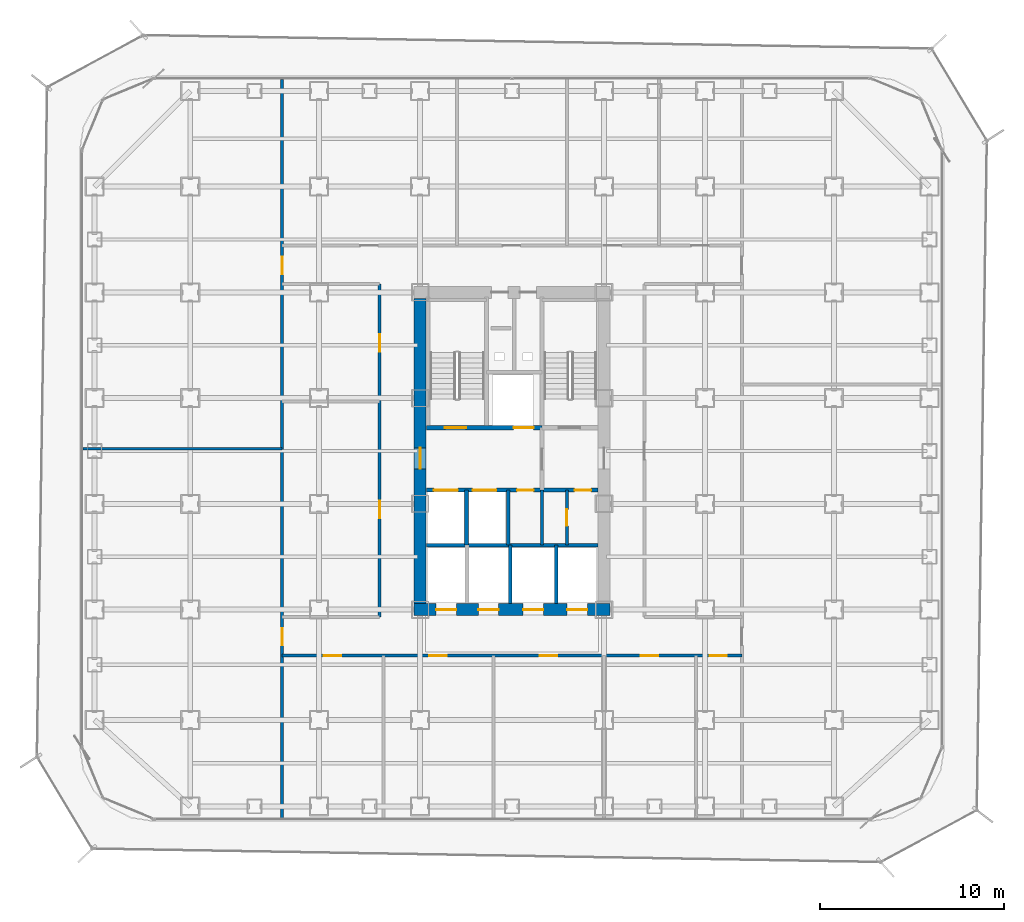
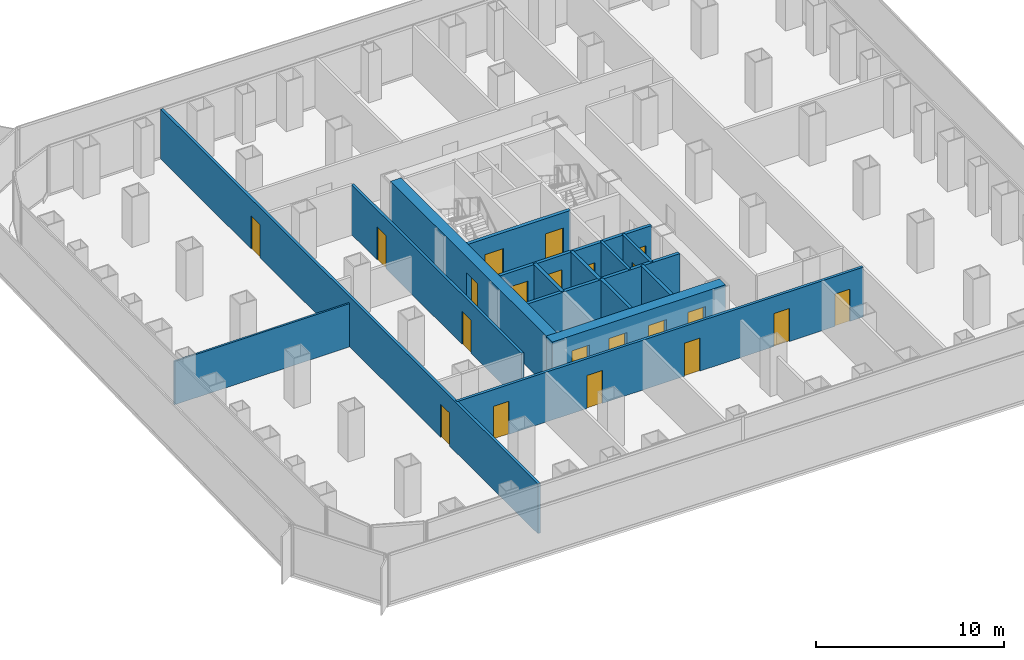
# One storey, part 17 of 22: 21 doors, 15 walls, 21 openings.
"""IFC4 building model written with IfcOpenShell, lengths in metres."""

from ifc_helpers import new_model, si_unit, direction, frame, frame_2d, origin, place, context, subcontext, project, spatial, rectangle, extrude, material, layer, layer_set, type_object, element, fill, save


model = new_model("IFC4")

# Units and contexts
model_context = context("Model", 3, precision=1e-05, world=origin(), true_north=direction((0.0, 1.0)))
body_context = subcontext(model_context, "Body", "Model", "MODEL_VIEW")
ifc_project = project(units=[si_unit("LENGTHUNIT", "METRE"), si_unit("AREAUNIT", "SQUARE_METRE"), si_unit("VOLUMEUNIT", "CUBIC_METRE"), si_unit("PLANEANGLEUNIT", "RADIAN"), si_unit("MASSUNIT", "GRAM", prefix="KILO")], contexts=[model_context])

# Site, building, storey
site_placement = place(None, origin())
site = spatial("IfcSite", under=ifc_project, at=site_placement, CompositionType="ELEMENT")
building_placement = place(site_placement, origin())
building = spatial("IfcBuilding", under=site, at=building_placement, Name="Kolveth Station Tower", CompositionType="ELEMENT")
storey_placement = place(building_placement, frame((0.0, 0.0, 72.89990234375)))
storey = spatial("IfcBuildingStorey", under=building, at=storey_placement, Name="L19", CompositionType="ELEMENT", Elevation=72.89990234375)

# Wall, openings, doors
ifc_material_1 = material(Name="Concrete C60/75", Category="concrete")
ifc_layer_1 = layer(ifc_material_1, 0.64990234375)
ifc_layer_set_1 = layer_set([ifc_layer_1], Name="Concrete C60/75")
wall_type_1 = type_object("IfcWallType", Name="Wall_CW-650", PredefinedType="SHEAR", material=ifc_layer_set_1)
wall_1_placement = place(storey_placement, frame((18.175048828125, 11.5, 0.0), z_axis=(0.0, 0.0, 1.0), x_axis=(1.0, 0.0, 0.0)))
wall_1 = element("IfcWall", 1, at=wall_1_placement, inside=storey, type_object=wall_type_1, Name="L19 Core RC Shear Wall S", PredefinedType="SHEAR", context=body_context, shape_type="SweptSolid", body=[
    extrude(rectangle(XDim=10.64990234375, YDim=0.64990234375, at=frame_2d((5.324951171875, 0.0))), origin(), (0.0, 0.0, 1.0), 3.239990234375),
])
opening_1_placement = place(wall_1_placement, frame((1.195068359375, 0.0, 0.0)))
opening_1 = element("IfcOpeningElement", 2, at=opening_1_placement, cuts=wall_1, Name="Opening LD1", PredefinedType="OPENING", context=body_context, shape_type="SweptSolid", body=[
    extrude(rectangle(XDim=1.10009765625, YDim=2.25, at=frame_2d((0.550048828125, 1.125))), frame((0.0, 0.3349609375, 0.0), z_axis=(0.0, -1.0, 0.0), x_axis=(1.0, 0.0, 0.0)), (0.0, 0.0, 1.0), 0.669921875),
])
opening_2_placement = place(wall_1_placement, frame((3.4951171875, 0.0, 0.0)))
opening_2 = element("IfcOpeningElement", 3, at=opening_2_placement, cuts=wall_1, Name="Opening LD1", PredefinedType="OPENING", context=body_context, shape_type="SweptSolid", body=[
    extrude(rectangle(XDim=1.10009765625, YDim=2.25, at=frame_2d((0.550048828125, 1.125))), frame((0.0, 0.3349609375, 0.0), z_axis=(0.0, -1.0, 0.0), x_axis=(1.0, 0.0, 0.0)), (0.0, 0.0, 1.0), 0.669921875),
])
opening_3_placement = place(wall_1_placement, frame((5.925048828125, 0.0, 0.0)))
opening_3 = element("IfcOpeningElement", 4, at=opening_3_placement, cuts=wall_1, Name="Opening LD1", PredefinedType="OPENING", context=body_context, shape_type="SweptSolid", body=[
    extrude(rectangle(XDim=1.10009765625, YDim=2.25, at=frame_2d((0.550048828125, 1.125))), frame((0.0, 0.3349609375, 0.0), z_axis=(0.0, -1.0, 0.0), x_axis=(1.0, 0.0, 0.0)), (0.0, 0.0, 1.0), 0.669921875),
])
opening_4_placement = place(wall_1_placement, frame((8.324951171875, 0.0, 0.0)))
opening_4 = element("IfcOpeningElement", 5, at=opening_4_placement, cuts=wall_1, Name="Opening LD1", PredefinedType="OPENING", context=body_context, shape_type="SweptSolid", body=[
    extrude(rectangle(XDim=1.10009765625, YDim=2.25, at=frame_2d((0.550048828125, 1.125))), frame((0.0, 0.3349609375, 0.0), z_axis=(0.0, -1.0, 0.0), x_axis=(1.0, 0.0, 0.0)), (0.0, 0.0, 1.0), 0.669921875),
])
ifc_material_2 = material(Name="Brushed stainless steel sliding landing doors", Category="steel")
door_type_1 = type_object("IfcDoorType", Name="Door_LD1", OperationType="NOTDEFINED", PredefinedType="DOOR", material=ifc_material_2)
door_1_placement = place(opening_1_placement, frame((1.10009765625, 0.0, 0.0), z_axis=(0.0, 0.0, 1.0), x_axis=(-1.0, 0.0, 0.0)))
door_1 = element("IfcDoor", 6, at=door_1_placement, inside=storey, type_object=door_type_1, Name="L19 Lift PL1 Landing Door", OperationType="DOUBLE_DOOR_SLIDING", OverallHeight=2.25, OverallWidth=1.10009765625, PredefinedType="DOOR", context=body_context, shape_type="SweptSolid", body=[
    extrude(rectangle(XDim=1.10009765625, YDim=2.25, at=frame_2d((0.550048828125, 1.125))), frame((0.0, 0.02490234375, 0.0), z_axis=(0.0, -1.0, 0.0), x_axis=(1.0, 0.0, 0.0)), (0.0, 0.0, 1.0), 0.050048828125),
])
fill(opening_1, door_1)
door_2_placement = place(opening_2_placement, frame((1.10009765625, 0.0, 0.0), z_axis=(0.0, 0.0, 1.0), x_axis=(-1.0, 0.0, 0.0)))
door_2 = element("IfcDoor", 7, at=door_2_placement, inside=storey, type_object=door_type_1, Name="L19 Lift PL2 Landing Door", OperationType="DOUBLE_DOOR_SLIDING", OverallHeight=2.25, OverallWidth=1.10009765625, PredefinedType="DOOR", context=body_context, shape_type="SweptSolid", body=[
    extrude(rectangle(XDim=1.10009765625, YDim=2.25, at=frame_2d((0.550048828125, 1.125))), frame((0.0, 0.02490234375, 0.0), z_axis=(0.0, -1.0, 0.0), x_axis=(1.0, 0.0, 0.0)), (0.0, 0.0, 1.0), 0.050048828125),
])
fill(opening_2, door_2)
door_3_placement = place(opening_3_placement, frame((1.10009765625, 0.0, 0.0), z_axis=(0.0, 0.0, 1.0), x_axis=(-1.0, 0.0, 0.0)))
door_3 = element("IfcDoor", 8, at=door_3_placement, inside=storey, type_object=door_type_1, Name="L19 Lift PM1 Landing Door", OperationType="DOUBLE_DOOR_SLIDING", OverallHeight=2.25, OverallWidth=1.10009765625, PredefinedType="DOOR", context=body_context, shape_type="SweptSolid", body=[
    extrude(rectangle(XDim=1.10009765625, YDim=2.25, at=frame_2d((0.550048828125, 1.125))), frame((0.0, 0.02490234375, 0.0), z_axis=(0.0, -1.0, 0.0), x_axis=(1.0, 0.0, 0.0)), (0.0, 0.0, 1.0), 0.050048828125),
])
fill(opening_3, door_3)
door_4_placement = place(opening_4_placement, frame((1.10009765625, 0.0, 0.0), z_axis=(0.0, 0.0, 1.0), x_axis=(-1.0, 0.0, 0.0)))
door_4 = element("IfcDoor", 9, at=door_4_placement, inside=storey, type_object=door_type_1, Name="L19 Lift PH1 Landing Door", OperationType="DOUBLE_DOOR_SLIDING", OverallHeight=2.25, OverallWidth=1.10009765625, PredefinedType="DOOR", context=body_context, shape_type="SweptSolid", body=[
    extrude(rectangle(XDim=1.10009765625, YDim=2.25, at=frame_2d((0.550048828125, 1.125))), frame((0.0, 0.02490234375, 0.0), z_axis=(0.0, -1.0, 0.0), x_axis=(1.0, 0.0, 0.0)), (0.0, 0.0, 1.0), 0.050048828125),
])
fill(opening_4, door_4)

# Wall, opening, door
wall_2_placement = place(storey_placement, frame((18.5, 11.824951171875, 0.0), z_axis=(0.0, 0.0, 1.0), x_axis=(0.0, 1.0, 0.0)))
wall_2 = element("IfcWall", 10, at=wall_2_placement, inside=storey, type_object=wall_type_1, Name="L19 Core RC Shear Wall W", PredefinedType="SHEAR", context=body_context, shape_type="SweptSolid", body=[
    extrude(rectangle(XDim=16.60009765625, YDim=0.64990234375, at=frame_2d((8.300048828125, 0.0))), origin(), (0.0, 0.0, 1.0), 3.239990234375),
])
opening_5_placement = place(wall_2_placement, frame((7.324951171875, 0.0, 0.0)))
opening_5 = element("IfcOpeningElement", 11, at=opening_5_placement, cuts=wall_2, Name="Opening FD1", PredefinedType="OPENING", context=body_context, shape_type="SweptSolid", body=[
    extrude(rectangle(XDim=1.14990234375, YDim=2.199951171875, at=frame_2d((0.574951171875, 1.10009765625))), frame((0.0, 0.3349609375, 0.0), z_axis=(0.0, -1.0, 0.0), x_axis=(1.0, 0.0, 0.0)), (0.0, 0.0, 1.0), 0.669921875),
])
ifc_material_3 = material(Name="Fire-rated Steel S355 leaf and frame", Category="steel")
door_type_2 = type_object("IfcDoorType", Name="Door_FD1", OperationType="NOTDEFINED", PredefinedType="DOOR", material=ifc_material_3)
door_5_placement = place(opening_5_placement, frame((1.14990234375, 0.0, 0.0), z_axis=(0.0, 0.0, 1.0), x_axis=(-1.0, 0.0, 0.0)))
door_5 = element("IfcDoor", 12, at=door_5_placement, inside=storey, type_object=door_type_2, Name="L19 West Corridor to Firefighting Lobby Door", OperationType="SINGLE_SWING_LEFT", OverallHeight=2.199951171875, OverallWidth=1.14990234375, PredefinedType="DOOR", context=body_context, shape_type="SweptSolid", body=[
    extrude(rectangle(XDim=1.14990234375, YDim=2.199951171875, at=frame_2d((0.574951171875, 1.10009765625))), frame((0.0, 0.02490234375, 0.0), z_axis=(0.0, -1.0, 0.0), x_axis=(1.0, 0.0, 0.0)), (0.0, 0.0, 1.0), 0.050048828125),
])
fill(opening_5, door_5)

# Walls
ifc_material_4 = material(Name="Framed gypsum partition")
ifc_layer_2 = layer(ifc_material_4, 0.114990234375)
ifc_layer_set_2 = layer_set([ifc_layer_2], Name="Framed gypsum partition")
wall_type_2 = type_object("IfcWallType", Name="Wall_IW-115", PredefinedType="PARTITIONING", material=ifc_layer_set_2)
wall_3_placement = place(storey_placement, frame((0.159912109375, 20.25, 0.0), z_axis=(0.0, 0.0, 1.0), x_axis=(1.0, 0.0, 0.0)))
element("IfcWall", 13, at=wall_3_placement, inside=storey, type_object=wall_type_2, Name="L19 Partition Wall WL-L19-OWM", PredefinedType="PARTITIONING", context=body_context, shape_type="SweptSolid", body=[
    extrude(rectangle(XDim=10.840087890625, YDim=0.114990234375, at=frame_2d((5.419921875, 0.0))), origin(), (0.0, 0.0, 1.0), 2.818115234375),
])
ifc_material_5 = material(Name="Acoustic double-stud gypsum partition")
ifc_layer_3 = layer(ifc_material_5, 0.1650390625)
ifc_layer_set_3 = layer_set([ifc_layer_3], Name="Acoustic double-stud gypsum partition")
wall_type_3 = type_object("IfcWallType", Name="Wall_IW-165", PredefinedType="PARTITIONING", material=ifc_layer_set_3)
wall_4_placement = place(storey_placement, frame((25.1298828125, 15.0, 0.0), z_axis=(0.0, 0.0, 1.0), x_axis=(0.0, 1.0, 0.0)))
element("IfcWall", 14, at=wall_4_placement, inside=storey, type_object=wall_type_3, Name="L19 Partition Wall WL-L19-CB-V3A", PredefinedType="PARTITIONING", context=body_context, shape_type="SweptSolid", body=[
    extrude(rectangle(XDim=3.0, YDim=0.1650390625, at=frame_2d((1.5, 0.0))), origin(), (0.0, 0.0, 1.0), 3.239990234375),
])

# Wall, opening, door
wall_5_placement = place(storey_placement, frame((26.47998046875, 15.0, 0.0), z_axis=(0.0, 0.0, 1.0), x_axis=(0.0, 1.0, 0.0)))
wall_5 = element("IfcWall", 15, at=wall_5_placement, inside=storey, type_object=wall_type_3, Name="L19 Partition Wall WL-L19-CB-V3B", PredefinedType="PARTITIONING", context=body_context, shape_type="SweptSolid", body=[
    extrude(rectangle(XDim=3.0, YDim=0.1650390625, at=frame_2d((1.5, 0.0))), origin(), (0.0, 0.0, 1.0), 3.239990234375),
])
opening_6_placement = place(wall_5_placement, frame((1.050048828125, 0.0, 0.0)))
opening_6 = element("IfcOpeningElement", 16, at=opening_6_placement, cuts=wall_5, Name="Opening RD1", PredefinedType="OPENING", context=body_context, shape_type="SweptSolid", body=[
    extrude(rectangle(XDim=0.89990234375, YDim=2.050048828125, at=frame_2d((0.449951171875, 1.02490234375))), frame((0.0, 0.092529296875, 0.0), z_axis=(0.0, -1.0, 0.0), x_axis=(1.0, 0.0, 0.0)), (0.0, 0.0, 1.0), 0.18505859375),
])
ifc_material_6 = material(Name="Fire-rated Steel S355 riser access leaf", Category="steel")
door_type_3 = type_object("IfcDoorType", Name="Door_RD1", OperationType="NOTDEFINED", PredefinedType="DOOR", material=ifc_material_6)
door_6_placement = place(opening_6_placement, origin())
door_6 = element("IfcDoor", 17, at=door_6_placement, inside=storey, type_object=door_type_3, Name="L19 Core Meter Closet Door", OperationType="SINGLE_SWING_LEFT", OverallHeight=2.050048828125, OverallWidth=0.89990234375, PredefinedType="DOOR", context=body_context, shape_type="SweptSolid", body=[
    extrude(rectangle(XDim=0.89990234375, YDim=2.050048828125, at=frame_2d((0.449951171875, 1.02490234375))), frame((0.0, 0.02490234375, 0.0), z_axis=(0.0, -1.0, 0.0), x_axis=(1.0, 0.0, 0.0)), (0.0, 0.0, 1.0), 0.050048828125),
])
fill(opening_6, door_6)

# Wall, openings, doors
wall_6_placement = place(storey_placement, frame((11.0, 9.0, 0.0), z_axis=(0.0, 0.0, 1.0), x_axis=(1.0, 0.0, 0.0)))
wall_6 = element("IfcWall", 18, at=wall_6_placement, inside=storey, type_object=wall_type_3, Name="L19 Partition Wall WL-L19-OS", PredefinedType="PARTITIONING", context=body_context, shape_type="SweptSolid", body=[
    extrude(rectangle(XDim=25.0, YDim=0.1650390625, at=frame_2d((12.5, 0.0))), origin(), (0.0, 0.0, 1.0), 3.239990234375),
])
opening_7_placement = place(wall_6_placement, frame((2.25, 0.0, 0.0)))
opening_7 = element("IfcOpeningElement", 19, at=opening_7_placement, cuts=wall_6, Name="Opening ID1", PredefinedType="OPENING", context=body_context, shape_type="SweptSolid", body=[
    extrude(rectangle(XDim=0.949951171875, YDim=2.14990234375, at=frame_2d((0.47509765625, 1.074951171875))), frame((0.0, 0.092529296875, 0.0), z_axis=(0.0, -1.0, 0.0), x_axis=(1.0, 0.0, 0.0)), (0.0, 0.0, 1.0), 0.18505859375),
])
opening_8_placement = place(wall_6_placement, frame((8.0, 0.0, 0.0)))
opening_8 = element("IfcOpeningElement", 20, at=opening_8_placement, cuts=wall_6, Name="Opening ID1", PredefinedType="OPENING", context=body_context, shape_type="SweptSolid", body=[
    extrude(rectangle(XDim=0.949951171875, YDim=2.14990234375, at=frame_2d((0.47509765625, 1.074951171875))), frame((0.0, 0.092529296875, 0.0), z_axis=(0.0, -1.0, 0.0), x_axis=(1.0, 0.0, 0.0)), (0.0, 0.0, 1.0), 0.18505859375),
])
opening_9_placement = place(wall_6_placement, frame((14.0, 0.0, 0.0)))
opening_9 = element("IfcOpeningElement", 21, at=opening_9_placement, cuts=wall_6, Name="Opening ID1", PredefinedType="OPENING", context=body_context, shape_type="SweptSolid", body=[
    extrude(rectangle(XDim=0.949951171875, YDim=2.14990234375, at=frame_2d((0.47509765625, 1.074951171875))), frame((0.0, 0.092529296875, 0.0), z_axis=(0.0, -1.0, 0.0), x_axis=(1.0, 0.0, 0.0)), (0.0, 0.0, 1.0), 0.18505859375),
])
opening_10_placement = place(wall_6_placement, frame((19.5, 0.0, 0.0)))
opening_10 = element("IfcOpeningElement", 22, at=opening_10_placement, cuts=wall_6, Name="Opening ID1", PredefinedType="OPENING", context=body_context, shape_type="SweptSolid", body=[
    extrude(rectangle(XDim=0.949951171875, YDim=2.14990234375, at=frame_2d((0.47509765625, 1.074951171875))), frame((0.0, 0.092529296875, 0.0), z_axis=(0.0, -1.0, 0.0), x_axis=(1.0, 0.0, 0.0)), (0.0, 0.0, 1.0), 0.18505859375),
])
opening_11_placement = place(wall_6_placement, frame((23.25, 0.0, 0.0)))
opening_11 = element("IfcOpeningElement", 23, at=opening_11_placement, cuts=wall_6, Name="Opening ID2", PredefinedType="OPENING", context=body_context, shape_type="SweptSolid", body=[
    extrude(rectangle(XDim=0.919921875, YDim=2.10009765625, at=frame_2d((0.4599609375, 1.050048828125))), frame((0.0, 0.092529296875, 0.0), z_axis=(0.0, -1.0, 0.0), x_axis=(1.0, 0.0, 0.0)), (0.0, 0.0, 1.0), 0.18505859375),
])
ifc_material_7 = material(Name="Acoustic hardwood leaf and aluminium frame", Category="wood")
door_type_4 = type_object("IfcDoorType", Name="Door_ID1", OperationType="NOTDEFINED", PredefinedType="DOOR", material=ifc_material_7)
door_7_placement = place(opening_7_placement, frame((0.949951171875, 0.0, 0.0), z_axis=(0.0, 0.0, 1.0), x_axis=(-1.0, 0.0, 0.0)))
door_7 = element("IfcDoor", 24, at=door_7_placement, inside=storey, type_object=door_type_4, Name="L19 Wellness Treatment Room A Door", OperationType="SINGLE_SWING_LEFT", OverallHeight=2.14990234375, OverallWidth=0.949951171875, PredefinedType="DOOR", context=body_context, shape_type="SweptSolid", body=[
    extrude(rectangle(XDim=0.949951171875, YDim=2.14990234375, at=frame_2d((0.47509765625, 1.074951171875))), frame((0.0, 0.02490234375, 0.0), z_axis=(0.0, -1.0, 0.0), x_axis=(1.0, 0.0, 0.0)), (0.0, 0.0, 1.0), 0.050048828125),
])
fill(opening_7, door_7)
door_8_placement = place(opening_8_placement, frame((0.949951171875, 0.0, 0.0), z_axis=(0.0, 0.0, 1.0), x_axis=(-1.0, 0.0, 0.0)))
door_8 = element("IfcDoor", 25, at=door_8_placement, inside=storey, type_object=door_type_4, Name="L19 Wellness Treatment Room B Door", OperationType="SINGLE_SWING_RIGHT", OverallHeight=2.14990234375, OverallWidth=0.949951171875, PredefinedType="DOOR", context=body_context, shape_type="SweptSolid", body=[
    extrude(rectangle(XDim=0.949951171875, YDim=2.14990234375, at=frame_2d((0.47509765625, 1.074951171875))), frame((0.0, 0.02490234375, 0.0), z_axis=(0.0, -1.0, 0.0), x_axis=(1.0, 0.0, 0.0)), (0.0, 0.0, 1.0), 0.050048828125),
])
fill(opening_8, door_8)
door_9_placement = place(opening_9_placement, frame((0.949951171875, 0.0, 0.0), z_axis=(0.0, 0.0, 1.0), x_axis=(-1.0, 0.0, 0.0)))
door_9 = element("IfcDoor", 26, at=door_9_placement, inside=storey, type_object=door_type_4, Name="L19 Wellness Treatment Room C Door", OperationType="SINGLE_SWING_LEFT", OverallHeight=2.14990234375, OverallWidth=0.949951171875, PredefinedType="DOOR", context=body_context, shape_type="SweptSolid", body=[
    extrude(rectangle(XDim=0.949951171875, YDim=2.14990234375, at=frame_2d((0.47509765625, 1.074951171875))), frame((0.0, 0.02490234375, 0.0), z_axis=(0.0, -1.0, 0.0), x_axis=(1.0, 0.0, 0.0)), (0.0, 0.0, 1.0), 0.050048828125),
])
fill(opening_9, door_9)
door_10_placement = place(opening_10_placement, frame((0.949951171875, 0.0, 0.0), z_axis=(0.0, 0.0, 1.0), x_axis=(-1.0, 0.0, 0.0)))
door_10 = element("IfcDoor", 27, at=door_10_placement, inside=storey, type_object=door_type_4, Name="L19 Client Lounge Door", OperationType="SINGLE_SWING_RIGHT", OverallHeight=2.14990234375, OverallWidth=0.949951171875, PredefinedType="DOOR", context=body_context, shape_type="SweptSolid", body=[
    extrude(rectangle(XDim=0.949951171875, YDim=2.14990234375, at=frame_2d((0.47509765625, 1.074951171875))), frame((0.0, 0.02490234375, 0.0), z_axis=(0.0, -1.0, 0.0), x_axis=(1.0, 0.0, 0.0)), (0.0, 0.0, 1.0), 0.050048828125),
])
fill(opening_10, door_10)
ifc_material_8 = material(Name="Moisture-resistant hardwood leaf", Category="wood")
door_type_5 = type_object("IfcDoorType", Name="Door_ID2", OperationType="NOTDEFINED", PredefinedType="DOOR", material=ifc_material_8)
door_11_placement = place(opening_11_placement, frame((0.919921875, 0.0, 0.0), z_axis=(0.0, 0.0, 1.0), x_axis=(-1.0, 0.0, 0.0)))
door_11 = element("IfcDoor", 28, at=door_11_placement, inside=storey, type_object=door_type_5, Name="L19 Accessible WC Door", OperationType="SINGLE_SWING_LEFT", OverallHeight=2.10009765625, OverallWidth=0.919921875, PredefinedType="DOOR", context=body_context, shape_type="SweptSolid", body=[
    extrude(rectangle(XDim=0.919921875, YDim=2.10009765625, at=frame_2d((0.4599609375, 1.050048828125))), frame((0.0, 0.02490234375, 0.0), z_axis=(0.0, -1.0, 0.0), x_axis=(1.0, 0.0, 0.0)), (0.0, 0.0, 1.0), 0.050048828125),
])
fill(opening_11, door_11)

wall_7_placement = place(storey_placement, frame((16.300048828125, 11.10009765625, 0.0), z_axis=(0.0, 0.0, 1.0), x_axis=(0.0, 1.0, 0.0)))
wall_7 = element("IfcWall", 29, at=wall_7_placement, inside=storey, type_object=wall_type_3, Name="L19 Partition Wall WL-L19-OCW", PredefinedType="PARTITIONING", context=body_context, shape_type="SweptSolid", body=[
    extrude(rectangle(XDim=18.099853515625, YDim=0.1650390625, at=frame_2d((9.0498046875, 0.0))), origin(), (0.0, 0.0, 1.0), 3.239990234375),
])
opening_12_placement = place(wall_7_placement, frame((5.363037109375, 0.0, 0.0)))
opening_12 = element("IfcOpeningElement", 30, at=opening_12_placement, cuts=wall_7, Name="Opening ID1", PredefinedType="OPENING", context=body_context, shape_type="SweptSolid", body=[
    extrude(rectangle(XDim=0.949951171875, YDim=2.14990234375, at=frame_2d((0.47509765625, 1.074951171875))), frame((0.0, 0.092529296875, 0.0), z_axis=(0.0, -1.0, 0.0), x_axis=(1.0, 0.0, 0.0)), (0.0, 0.0, 1.0), 0.18505859375),
])
opening_13_placement = place(wall_7_placement, frame((14.4130859375, 0.0, 0.0)))
opening_13 = element("IfcOpeningElement", 31, at=opening_13_placement, cuts=wall_7, Name="Opening ID1", PredefinedType="OPENING", context=body_context, shape_type="SweptSolid", body=[
    extrude(rectangle(XDim=0.949951171875, YDim=2.14990234375, at=frame_2d((0.47509765625, 1.074951171875))), frame((0.0, 0.092529296875, 0.0), z_axis=(0.0, -1.0, 0.0), x_axis=(1.0, 0.0, 0.0)), (0.0, 0.0, 1.0), 0.18505859375),
])
door_12_placement = place(opening_12_placement, frame((0.949951171875, 0.0, 0.0), z_axis=(0.0, 0.0, 1.0), x_axis=(-1.0, 0.0, 0.0)))
door_12 = element("IfcDoor", 32, at=door_12_placement, inside=storey, type_object=door_type_4, Name="L19 Internal Meeting Room W1 Door", OperationType="SINGLE_SWING_RIGHT", OverallHeight=2.14990234375, OverallWidth=0.949951171875, PredefinedType="DOOR", context=body_context, shape_type="SweptSolid", body=[
    extrude(rectangle(XDim=0.949951171875, YDim=2.14990234375, at=frame_2d((0.47509765625, 1.074951171875))), frame((0.0, 0.02490234375, 0.0), z_axis=(0.0, -1.0, 0.0), x_axis=(1.0, 0.0, 0.0)), (0.0, 0.0, 1.0), 0.050048828125),
])
fill(opening_12, door_12)
door_13_placement = place(opening_13_placement, frame((0.949951171875, 0.0, 0.0), z_axis=(0.0, 0.0, 1.0), x_axis=(-1.0, 0.0, 0.0)))
door_13 = element("IfcDoor", 33, at=door_13_placement, inside=storey, type_object=door_type_4, Name="L19 Print and Archive Room Door", OperationType="SINGLE_SWING_LEFT", OverallHeight=2.14990234375, OverallWidth=0.949951171875, PredefinedType="DOOR", context=body_context, shape_type="SweptSolid", body=[
    extrude(rectangle(XDim=0.949951171875, YDim=2.14990234375, at=frame_2d((0.47509765625, 1.074951171875))), frame((0.0, 0.02490234375, 0.0), z_axis=(0.0, -1.0, 0.0), x_axis=(1.0, 0.0, 0.0)), (0.0, 0.0, 1.0), 0.050048828125),
])
fill(opening_13, door_13)

wall_8_placement = place(storey_placement, frame((11.0, 0.159912109375, 0.0), z_axis=(0.0, 0.0, 1.0), x_axis=(0.0, 1.0, 0.0)))
wall_8 = element("IfcWall", 34, at=wall_8_placement, inside=storey, type_object=wall_type_3, Name="L19 Partition Wall WL-L19-OWEND", PredefinedType="PARTITIONING", context=body_context, shape_type="SweptSolid", body=[
    extrude(rectangle(XDim=40.18017578125, YDim=0.1650390625, at=frame_2d((20.090087890625, 0.0))), origin(), (0.0, 0.0, 1.0), 3.239990234375),
])
opening_14_placement = place(wall_8_placement, frame((9.389892578125, 0.0, 0.0)))
opening_14 = element("IfcOpeningElement", 35, at=opening_14_placement, cuts=wall_8, Name="Opening ID1", PredefinedType="OPENING", context=body_context, shape_type="SweptSolid", body=[
    extrude(rectangle(XDim=0.949951171875, YDim=2.14990234375, at=frame_2d((0.47509765625, 1.074951171875))), frame((0.0, 0.092529296875, 0.0), z_axis=(0.0, -1.0, 0.0), x_axis=(1.0, 0.0, 0.0)), (0.0, 0.0, 1.0), 0.18505859375),
])
opening_15_placement = place(wall_8_placement, frame((29.590087890625, 0.0, 0.0)))
opening_15 = element("IfcOpeningElement", 36, at=opening_15_placement, cuts=wall_8, Name="Opening ID1", PredefinedType="OPENING", context=body_context, shape_type="SweptSolid", body=[
    extrude(rectangle(XDim=0.949951171875, YDim=2.14990234375, at=frame_2d((0.47509765625, 1.074951171875))), frame((0.0, 0.092529296875, 0.0), z_axis=(0.0, -1.0, 0.0), x_axis=(1.0, 0.0, 0.0)), (0.0, 0.0, 1.0), 0.18505859375),
])
door_14_placement = place(opening_14_placement, frame((0.949951171875, 0.0, 0.0), z_axis=(0.0, 0.0, 1.0), x_axis=(-1.0, 0.0, 0.0)))
door_14 = element("IfcDoor", 37, at=door_14_placement, inside=storey, type_object=door_type_4, Name="L19 West-South Wing Door", OperationType="SINGLE_SWING_RIGHT", OverallHeight=2.14990234375, OverallWidth=0.949951171875, PredefinedType="DOOR", context=body_context, shape_type="SweptSolid", body=[
    extrude(rectangle(XDim=0.949951171875, YDim=2.14990234375, at=frame_2d((0.47509765625, 1.074951171875))), frame((0.0, 0.02490234375, 0.0), z_axis=(0.0, -1.0, 0.0), x_axis=(1.0, 0.0, 0.0)), (0.0, 0.0, 1.0), 0.050048828125),
])
fill(opening_14, door_14)
door_15_placement = place(opening_15_placement, frame((0.949951171875, 0.0, 0.0), z_axis=(0.0, 0.0, 1.0), x_axis=(-1.0, 0.0, 0.0)))
door_15 = element("IfcDoor", 38, at=door_15_placement, inside=storey, type_object=door_type_4, Name="L19 West-North Wing Door", OperationType="SINGLE_SWING_LEFT", OverallHeight=2.14990234375, OverallWidth=0.949951171875, PredefinedType="DOOR", context=body_context, shape_type="SweptSolid", body=[
    extrude(rectangle(XDim=0.949951171875, YDim=2.14990234375, at=frame_2d((0.47509765625, 1.074951171875))), frame((0.0, 0.02490234375, 0.0), z_axis=(0.0, -1.0, 0.0), x_axis=(1.0, 0.0, 0.0)), (0.0, 0.0, 1.0), 0.050048828125),
])
fill(opening_15, door_15)

ifc_material_9 = material(Name="Acoustic fire-rated gypsum blockwork", Category="masonry")
ifc_layer_4 = layer(ifc_material_9, 0.199951171875)
ifc_layer_set_4 = layer_set([ifc_layer_4], Name="Acoustic fire-rated gypsum blockwork")
wall_type_4 = type_object("IfcWallType", Name="Wall_IW-200", PredefinedType="PARTITIONING", material=ifc_layer_set_4)
wall_9_placement = place(storey_placement, frame((18.8349609375, 18.0, 0.0), z_axis=(0.0, 0.0, 1.0), x_axis=(1.0, 0.0, 0.0)))
wall_9 = element("IfcWall", 39, at=wall_9_placement, inside=storey, type_object=wall_type_4, Name="L19 Partition Wall WL-L19-FFL-S", PredefinedType="PARTITIONING", context=body_context, shape_type="SweptSolid", body=[
    extrude(rectangle(XDim=9.330078125, YDim=0.199951171875, at=frame_2d((4.6650390625, 0.0))), origin(), (0.0, 0.0, 1.0), 3.239990234375),
])
opening_16_placement = place(wall_9_placement, frame((0.4150390625, 0.0, 0.0)))
opening_16 = element("IfcOpeningElement", 40, at=opening_16_placement, cuts=wall_9, Name="Opening LD2", PredefinedType="OPENING", context=body_context, shape_type="SweptSolid", body=[
    extrude(rectangle(XDim=1.300048828125, YDim=2.300048828125, at=frame_2d((0.64990234375, 1.14990234375))), frame((0.0, 0.10986328125, 0.0), z_axis=(0.0, -1.0, 0.0), x_axis=(1.0, 0.0, 0.0)), (0.0, 0.0, 1.0), 0.219970703125),
])
opening_17_placement = place(wall_9_placement, frame((2.514892578125, 0.0, 0.0)))
opening_17 = element("IfcOpeningElement", 41, at=opening_17_placement, cuts=wall_9, Name="Opening LD2", PredefinedType="OPENING", context=body_context, shape_type="SweptSolid", body=[
    extrude(rectangle(XDim=1.300048828125, YDim=2.300048828125, at=frame_2d((0.64990234375, 1.14990234375))), frame((0.0, 0.10986328125, 0.0), z_axis=(0.0, -1.0, 0.0), x_axis=(1.0, 0.0, 0.0)), (0.0, 0.0, 1.0), 0.219970703125),
])
opening_18_placement = place(wall_9_placement, frame((4.93505859375, 0.0, 0.0)))
opening_18 = element("IfcOpeningElement", 42, at=opening_18_placement, cuts=wall_9, Name="Opening RD1", PredefinedType="OPENING", context=body_context, shape_type="SweptSolid", body=[
    extrude(rectangle(XDim=0.89990234375, YDim=2.050048828125, at=frame_2d((0.449951171875, 1.02490234375))), frame((0.0, 0.10986328125, 0.0), z_axis=(0.0, -1.0, 0.0), x_axis=(1.0, 0.0, 0.0)), (0.0, 0.0, 1.0), 0.219970703125),
])
opening_19_placement = place(wall_9_placement, frame((8.06494140625, 0.0, 0.0)))
opening_19 = element("IfcOpeningElement", 43, at=opening_19_placement, cuts=wall_9, Name="Opening RD1", PredefinedType="OPENING", context=body_context, shape_type="SweptSolid", body=[
    extrude(rectangle(XDim=0.89990234375, YDim=2.050048828125, at=frame_2d((0.449951171875, 1.02490234375))), frame((0.0, 0.10986328125, 0.0), z_axis=(0.0, -1.0, 0.0), x_axis=(1.0, 0.0, 0.0)), (0.0, 0.0, 1.0), 0.219970703125),
])
ifc_material_10 = material(Name="Firefighting stainless steel sliding landing doors", Category="steel")
door_type_6 = type_object("IfcDoorType", Name="Door_LD2", OperationType="NOTDEFINED", PredefinedType="DOOR", material=ifc_material_10)
door_16_placement = place(opening_16_placement, origin())
door_16 = element("IfcDoor", 44, at=door_16_placement, inside=storey, type_object=door_type_6, Name="L19 Firefighting Lift FF1 Landing Door", OperationType="DOUBLE_DOOR_SLIDING", OverallHeight=2.300048828125, OverallWidth=1.300048828125, PredefinedType="DOOR", context=body_context, shape_type="SweptSolid", body=[
    extrude(rectangle(XDim=1.300048828125, YDim=2.300048828125, at=frame_2d((0.64990234375, 1.14990234375))), frame((0.0, 0.02490234375, 0.0), z_axis=(0.0, -1.0, 0.0), x_axis=(1.0, 0.0, 0.0)), (0.0, 0.0, 1.0), 0.050048828125),
])
fill(opening_16, door_16)
door_17_placement = place(opening_17_placement, origin())
door_17 = element("IfcDoor", 45, at=door_17_placement, inside=storey, type_object=door_type_6, Name="L19 Firefighting Lift FF2 Landing Door", OperationType="DOUBLE_DOOR_SLIDING", OverallHeight=2.300048828125, OverallWidth=1.300048828125, PredefinedType="DOOR", context=body_context, shape_type="SweptSolid", body=[
    extrude(rectangle(XDim=1.300048828125, YDim=2.300048828125, at=frame_2d((0.64990234375, 1.14990234375))), frame((0.0, 0.02490234375, 0.0), z_axis=(0.0, -1.0, 0.0), x_axis=(1.0, 0.0, 0.0)), (0.0, 0.0, 1.0), 0.050048828125),
])
fill(opening_17, door_17)
door_18_placement = place(opening_18_placement, frame((0.89990234375, 0.0, 0.0), z_axis=(0.0, 0.0, 1.0), x_axis=(-1.0, 0.0, 0.0)))
door_18 = element("IfcDoor", 46, at=door_18_placement, inside=storey, type_object=door_type_3, Name="L19 Core Staff WC Door", OperationType="SINGLE_SWING_RIGHT", OverallHeight=2.050048828125, OverallWidth=0.89990234375, PredefinedType="DOOR", context=body_context, shape_type="SweptSolid", body=[
    extrude(rectangle(XDim=0.89990234375, YDim=2.050048828125, at=frame_2d((0.449951171875, 1.02490234375))), frame((0.0, 0.02490234375, 0.0), z_axis=(0.0, -1.0, 0.0), x_axis=(1.0, 0.0, 0.0)), (0.0, 0.0, 1.0), 0.050048828125),
])
fill(opening_18, door_18)
door_19_placement = place(opening_19_placement, frame((0.89990234375, 0.0, 0.0), z_axis=(0.0, 0.0, 1.0), x_axis=(-1.0, 0.0, 0.0)))
door_19 = element("IfcDoor", 47, at=door_19_placement, inside=storey, type_object=door_type_3, Name="L19 Core Janitor Store Door", OperationType="SINGLE_SWING_RIGHT", OverallHeight=2.050048828125, OverallWidth=0.89990234375, PredefinedType="DOOR", context=body_context, shape_type="SweptSolid", body=[
    extrude(rectangle(XDim=0.89990234375, YDim=2.050048828125, at=frame_2d((0.449951171875, 1.02490234375))), frame((0.0, 0.02490234375, 0.0), z_axis=(0.0, -1.0, 0.0), x_axis=(1.0, 0.0, 0.0)), (0.0, 0.0, 1.0), 0.050048828125),
])
fill(opening_19, door_19)

# Walls
for number, where, z_axis, x_axis, name in (
    (48, (21.02001953125, 15.0, 0.0), (0.0, 0.0, 1.0), (0.0, 1.0, 0.0), "L19 Partition Wall WL-L19-FF12"),
    (49, (23.300048828125, 15.0, 0.0), (0.0, 0.0, 1.0), (0.0, 1.0, 0.0), "L19 Partition Wall WL-L19-FF2E"),
):
    element("IfcWall", number, at=place(storey_placement, frame(where, z_axis=z_axis, x_axis=x_axis)), inside=storey, type_object=wall_type_4, Name=name, PredefinedType="PARTITIONING", context=body_context, shape_type="SweptSolid", body=[
        extrude(rectangle(XDim=3.0, YDim=0.199951171875, at=frame_2d((1.5, 0.0))), origin(), (0.0, 0.0, 1.0), 3.239990234375),
    ])
wall_10_placement = place(storey_placement, frame((18.8349609375, 15.0, 0.0), z_axis=(0.0, 0.0, 1.0), x_axis=(1.0, 0.0, 0.0)))
element("IfcWall", 50, at=wall_10_placement, inside=storey, type_object=wall_type_4, Name="L19 Partition Wall WL-L19-BOH-S", PredefinedType="PARTITIONING", context=body_context, shape_type="SweptSolid", body=[
    extrude(rectangle(XDim=9.330078125, YDim=0.199951171875, at=frame_2d((4.6650390625, 0.0))), origin(), (0.0, 0.0, 1.0), 3.239990234375),
])
for number, where, z_axis, x_axis, name in (
    (51, (23.39990234375, 11.8349609375, 0.0), (0.0, 0.0, 1.0), (0.0, 1.0, 0.0), "L19 Partition Wall WL-L19-PL2E"),
    (52, (25.89990234375, 11.8349609375, 0.0), (0.0, 0.0, 1.0), (0.0, 1.0, 0.0), "L19 Partition Wall WL-L19-PMPH"),
):
    element("IfcWall", number, at=place(storey_placement, frame(where, z_axis=z_axis, x_axis=x_axis)), inside=storey, type_object=wall_type_4, Name=name, PredefinedType="PARTITIONING", context=body_context, shape_type="SweptSolid", body=[
        extrude(rectangle(XDim=3.1650390625, YDim=0.199951171875, at=frame_2d((1.58251953125, 0.0))), origin(), (0.0, 0.0, 1.0), 3.239990234375),
    ])

# Wall, openings, doors
ifc_material_11 = material(Name="Concrete C40/50", Category="concrete")
ifc_layer_5 = layer(ifc_material_11, 0.219970703125)
ifc_layer_set_5 = layer_set([ifc_layer_5], Name="Concrete C40/50")
wall_type_5 = type_object("IfcWallType", Name="Wall_IW-220", PredefinedType="SOLIDWALL", material=ifc_layer_set_5)
wall_11_placement = place(storey_placement, frame((18.8349609375, 21.389892578125, 0.0), z_axis=(0.0, 0.0, 1.0), x_axis=(1.0, 0.0, 0.0)))
wall_11 = element("IfcWall", 53, at=wall_11_placement, inside=storey, type_object=wall_type_5, Name="L19 Stair Shaft Wall WL-L19-ST1-S", PredefinedType="SOLIDWALL", context=body_context, shape_type="SweptSolid", body=[
    extrude(rectangle(XDim=6.294921875, YDim=0.219970703125, at=frame_2d((3.1474609375, 0.0))), origin(), (0.0, 0.0, 1.0), 3.239990234375),
])
opening_20_placement = place(wall_11_placement, frame((1.014892578125, 0.0, 0.0)))
opening_20 = element("IfcOpeningElement", 54, at=opening_20_placement, cuts=wall_11, Name="Opening FD1", PredefinedType="OPENING", context=body_context, shape_type="SweptSolid", body=[
    extrude(rectangle(XDim=1.14990234375, YDim=2.199951171875, at=frame_2d((0.574951171875, 1.10009765625))), frame((0.0, 0.119873046875, 0.0), z_axis=(0.0, -1.0, 0.0), x_axis=(1.0, 0.0, 0.0)), (0.0, 0.0, 1.0), 0.239990234375),
])
opening_21_placement = place(wall_11_placement, frame((4.7451171875, 0.0, 0.0)))
opening_21 = element("IfcOpeningElement", 55, at=opening_21_placement, cuts=wall_11, Name="Opening LD1", PredefinedType="OPENING", context=body_context, shape_type="SweptSolid", body=[
    extrude(rectangle(XDim=1.10009765625, YDim=2.25, at=frame_2d((0.550048828125, 1.125))), frame((0.0, 0.119873046875, 0.0), z_axis=(0.0, -1.0, 0.0), x_axis=(1.0, 0.0, 0.0)), (0.0, 0.0, 1.0), 0.239990234375),
])
door_20_placement = place(opening_20_placement, frame((1.14990234375, 0.0, 0.0), z_axis=(0.0, 0.0, 1.0), x_axis=(-1.0, 0.0, 0.0)))
door_20 = element("IfcDoor", 56, at=door_20_placement, inside=storey, type_object=door_type_2, Name="L19 Stair ST1 Fire Door", OperationType="SINGLE_SWING_LEFT", OverallHeight=2.199951171875, OverallWidth=1.14990234375, PredefinedType="DOOR", context=body_context, shape_type="SweptSolid", body=[
    extrude(rectangle(XDim=1.14990234375, YDim=2.199951171875, at=frame_2d((0.574951171875, 1.10009765625))), frame((0.0, 0.02490234375, 0.0), z_axis=(0.0, -1.0, 0.0), x_axis=(1.0, 0.0, 0.0)), (0.0, 0.0, 1.0), 0.050048828125),
])
fill(opening_20, door_20)
door_21_placement = place(opening_21_placement, frame((1.10009765625, 0.0, 0.0), z_axis=(0.0, 0.0, 1.0), x_axis=(-1.0, 0.0, 0.0)))
door_21 = element("IfcDoor", 57, at=door_21_placement, inside=storey, type_object=door_type_1, Name="L19 Service Lift SV1 Landing Door", OperationType="DOUBLE_DOOR_SLIDING", OverallHeight=2.25, OverallWidth=1.10009765625, PredefinedType="DOOR", context=body_context, shape_type="SweptSolid", body=[
    extrude(rectangle(XDim=1.10009765625, YDim=2.25, at=frame_2d((0.550048828125, 1.125))), frame((0.0, 0.02490234375, 0.0), z_axis=(0.0, -1.0, 0.0), x_axis=(1.0, 0.0, 0.0)), (0.0, 0.0, 1.0), 0.050048828125),
])
fill(opening_21, door_21)

save(model, "model.ifc")
